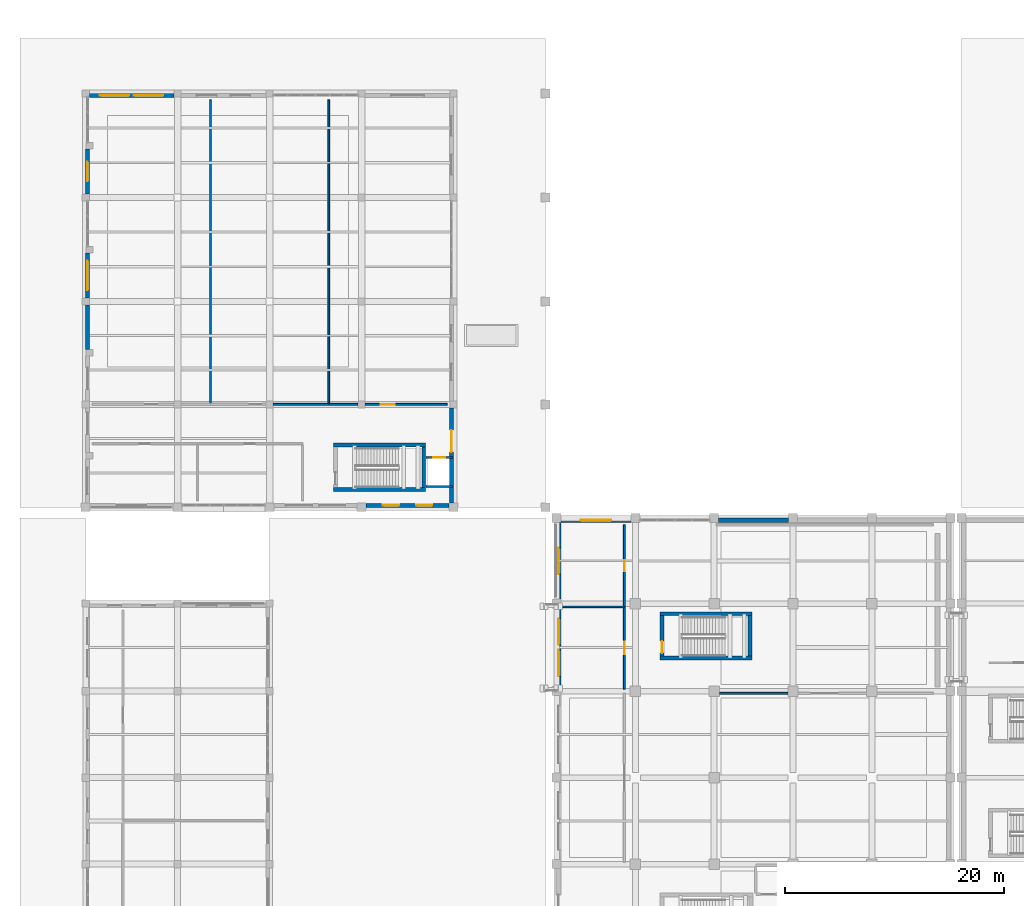
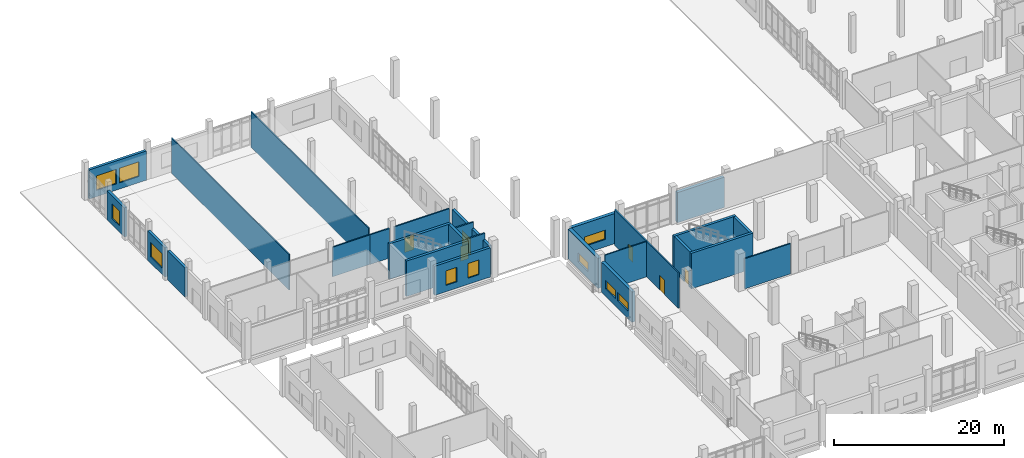
# One storey, part 57 of 79: 28 walls, 10 windows, 6 doors, 16 openings.
"""IFC4 building model written with IfcOpenShell, lengths in metres."""

from ifc_helpers import new_model, si_unit, direction, frame, frame_2d, origin, place, context, subcontext, project, spatial, rectangle, extrude, material, layer, layer_set, type_object, element, fill, save


model = new_model("IFC4")

# Units and contexts
model_context = context("Model", 3, precision=1e-05, world=origin(), true_north=direction((0.0, 1.0)))
body_context = subcontext(model_context, "Body", "Model", "MODEL_VIEW")
ifc_project = project(units=[si_unit("LENGTHUNIT", "METRE"), si_unit("AREAUNIT", "SQUARE_METRE"), si_unit("VOLUMEUNIT", "CUBIC_METRE"), si_unit("PLANEANGLEUNIT", "RADIAN"), si_unit("MASSUNIT", "GRAM", prefix="KILO")], contexts=[model_context])

# Site, building, storey
site_placement = place(None, origin())
site = spatial("IfcSite", under=ifc_project, at=site_placement, CompositionType="ELEMENT")
building_placement = place(site_placement, origin())
building = spatial("IfcBuilding", under=site, at=building_placement, Name="Kelarvand Opera House", CompositionType="ELEMENT")
storey_placement = place(building_placement, origin())
storey = spatial("IfcBuildingStorey", under=building, at=storey_placement, Name="L00", CompositionType="ELEMENT", Elevation=0.0)

# Walls
ifc_material_1 = material(Name="Acoustic double-stud gypsum partition")
ifc_layer_1 = layer(ifc_material_1, 0.14990234375, Name="Acoustic double-stud gypsum partition")
ifc_layer_set_1 = layer_set([ifc_layer_1], Name="Acoustic double-stud gypsum partition")
wall_type_1 = type_object("IfcWallType", Name="Acoustic Room Partition Wall 150", PredefinedType="PARTITIONING", material=ifc_layer_set_1)
wall_1_placement = place(storey_placement, frame((52.5, 78.10009765625, 0.0), z_axis=(0.0, 0.0, 1.0), x_axis=(1.0, 0.0, 0.0)))
element("IfcWall", 1, at=wall_1_placement, inside=storey, type_object=wall_type_1, Name="V2 L00 Partition Wall IW-150 (273)", PredefinedType="PARTITIONING", context=body_context, shape_type="SweptSolid", body=[
    extrude(rectangle(XDim=5.699951171875, YDim=0.14990234375, at=frame_2d((2.85009765625, 0.0))), origin(), (0.0, 0.0, 1.0), 5.092041015625),
])
for number, where, z_axis, x_axis, name in (
    (2, (20.39990234375, 96.739990234375, 0.0), (0.0, 0.0, 1.0), (0.0, 1.0, 0.0), "V3 L00 Partition Wall IW-150 (277)"),
    (3, (31.199951171875, 96.739990234375, 0.0), (0.0, 0.0, 1.0), (0.0, 1.0, 0.0), "V3 L00 Partition Wall IW-150 (280)"),
):
    element("IfcWall", number, at=place(storey_placement, frame(where, z_axis=z_axis, x_axis=x_axis)), inside=storey, type_object=wall_type_1, Name=name, PredefinedType="PARTITIONING", context=body_context, shape_type="SweptSolid", body=[
        extrude(rectangle(XDim=27.659912109375, YDim=0.14990234375, at=frame_2d((13.830078125, 0.0))), origin(), (0.0, 0.0, 1.0), 5.092041015625),
    ])

# Wall, opening, door
ifc_material_2 = material(Name="Concrete C35/45", Category="concrete")
ifc_layer_2 = layer(ifc_material_2, 0.360107421875, Name="Concrete C35/45", Category="concrete")
ifc_layer_set_2 = layer_set([ifc_layer_2], Name="Concrete C35/45")
wall_type_2 = type_object("IfcWallType", Name="Azarshahr Travertine Cavity Wall 360", PredefinedType="SOLIDWALL", material=ifc_layer_set_2)
wall_2_placement = place(storey_placement, frame((42.419921875, 96.27490234375, 0.0), z_axis=(0.0, 0.0, 1.0), x_axis=(0.0, -1.0, 0.0)))
wall_2 = element("IfcWall", 4, at=wall_2_placement, inside=storey, type_object=wall_type_2, Name="V3 L00 Exterior Wall EW-360 (393)", PredefinedType="SOLIDWALL", context=body_context, shape_type="SweptSolid", body=[
    extrude(rectangle(XDim=8.664794921875, YDim=0.360107421875, at=frame_2d((4.33251953125, 0.0))), origin(), (0.0, 0.0, 1.0), 4.19189453125),
])
opening_1_placement = place(wall_2_placement, frame((2.032958984375, 0.0, 0.0)))
opening_1 = element("IfcOpeningElement", 5, at=opening_1_placement, cuts=wall_2, Name="Opening EX-200", PredefinedType="OPENING", context=body_context, shape_type="SweptSolid", body=[
    extrude(rectangle(XDim=2.0, YDim=2.39990234375, at=frame_2d((1.0, 1.199951171875))), frame((0.0, 0.18994140625, 0.0), z_axis=(0.0, -1.0, 0.0), x_axis=(1.0, 0.0, 0.0)), (0.0, 0.0, 1.0), 0.380126953125),
])
ifc_material_3 = material(Name="Thermally broken bronze-anodised aluminium and safety glass", Category="aluminium")
door_type_1 = type_object("IfcDoorType", Name="Protected Stair Double Final Exit Door 2000x2400", OperationType="NOTDEFINED", PredefinedType="DOOR", material=ifc_material_3)
door_1_placement = place(opening_1_placement, origin())
door_1 = element("IfcDoor", 6, at=door_1_placement, inside=storey, type_object=door_type_1, Name="V3 Ground Final Exit Door E11", OperationType="DOUBLE_DOOR_SINGLE_SWING", OverallHeight=2.39990234375, OverallWidth=2.0, PredefinedType="DOOR", context=body_context, shape_type="SweptSolid", body=[
    extrude(rectangle(XDim=2.0, YDim=2.39990234375, at=frame_2d((1.0, 1.199951171875))), frame((0.0, 0.02490234375, 0.0), z_axis=(0.0, -1.0, 0.0), x_axis=(1.0, 0.0, 0.0)), (0.0, 0.0, 1.0), 0.050048828125),
])
fill(opening_1, door_1)

# Wall, openings, windows
wall_3_placement = place(storey_placement, frame((9.324951171875, 124.820068359375, 0.0), z_axis=(0.0, 0.0, 1.0), x_axis=(1.0, 0.0, 0.0)))
wall_3 = element("IfcWall", 7, at=wall_3_placement, inside=storey, type_object=wall_type_2, Name="V3 L00 Exterior Wall EW-360 (394)", PredefinedType="SOLIDWALL", context=body_context, shape_type="SweptSolid", body=[
    extrude(rectangle(XDim=7.75, YDim=0.360107421875, at=frame_2d((3.875, 0.0))), origin(), (0.0, 0.0, 1.0), 4.19189453125),
])
opening_2_placement = place(wall_3_placement, frame((0.97509765625, 0.0, 0.89990234375)))
opening_2 = element("IfcOpeningElement", 8, at=opening_2_placement, cuts=wall_3, Name="Opening WN-08", PredefinedType="OPENING", context=body_context, shape_type="SweptSolid", body=[
    extrude(rectangle(XDim=2.699951171875, YDim=2.10009765625, at=frame_2d((1.35009765625, 1.050048828125))), frame((0.0, 0.18994140625, 0.0), z_axis=(0.0, -1.0, 0.0), x_axis=(1.0, 0.0, 0.0)), (0.0, 0.0, 1.0), 0.380126953125),
])
opening_3_placement = place(wall_3_placement, frame((4.074951171875, 0.0, 0.89990234375)))
opening_3 = element("IfcOpeningElement", 9, at=opening_3_placement, cuts=wall_3, Name="Opening WN-08", PredefinedType="OPENING", context=body_context, shape_type="SweptSolid", body=[
    extrude(rectangle(XDim=2.699951171875, YDim=2.10009765625, at=frame_2d((1.35009765625, 1.050048828125))), frame((0.0, 0.18994140625, 0.0), z_axis=(0.0, -1.0, 0.0), x_axis=(1.0, 0.0, 0.0)), (0.0, 0.0, 1.0), 0.380126953125),
])
ifc_material_4 = material(Name="Thermally broken aluminium and low-E double glazing", Category="aluminium")
window_type_1 = type_object("IfcWindowType", Name="Recessed Aluminium Thermal Window 2700x2100 WN-08", PartitioningType="SINGLE_PANEL", PredefinedType="WINDOW", material=ifc_material_4)
window_1_placement = place(opening_2_placement, origin())
window_1 = element("IfcWindow", 10, at=window_1_placement, inside=storey, type_object=window_type_1, Name="V3 L00 Facade Window WN-08 (143)", OverallHeight=2.10009765625, OverallWidth=2.699951171875, PartitioningType="SINGLE_PANEL", PredefinedType="WINDOW", context=body_context, shape_type="SweptSolid", body=[
    extrude(rectangle(XDim=2.699951171875, YDim=2.10009765625, at=frame_2d((1.35009765625, 1.050048828125))), frame((0.0, 0.030029296875, 0.0), z_axis=(0.0, -1.0, 0.0), x_axis=(1.0, 0.0, 0.0)), (0.0, 0.0, 1.0), 0.06005859375),
])
fill(opening_2, window_1)
window_2_placement = place(opening_3_placement, origin())
window_2 = element("IfcWindow", 11, at=window_2_placement, inside=storey, type_object=window_type_1, Name="V3 L00 Facade Window WN-08 (144)", OverallHeight=2.10009765625, OverallWidth=2.699951171875, PartitioningType="SINGLE_PANEL", PredefinedType="WINDOW", context=body_context, shape_type="SweptSolid", body=[
    extrude(rectangle(XDim=2.699951171875, YDim=2.10009765625, at=frame_2d((1.35009765625, 1.050048828125))), frame((0.0, 0.030029296875, 0.0), z_axis=(0.0, -1.0, 0.0), x_axis=(1.0, 0.0, 0.0)), (0.0, 0.0, 1.0), 0.06005859375),
])
fill(opening_3, window_2)

# Wall
wall_4_placement = place(storey_placement, frame((9.179931640625, 101.60009765625, 0.0), z_axis=(0.0, 0.0, 1.0), x_axis=(0.0, 1.0, 0.0)))
element("IfcWall", 12, at=wall_4_placement, inside=storey, type_object=wall_type_2, Name="V3 L00 Exterior Wall EW-360 (400)", PredefinedType="SOLIDWALL", context=body_context, shape_type="SweptSolid", body=[
    extrude(rectangle(XDim=4.074951171875, YDim=0.360107421875, at=frame_2d((2.03759765625, 0.0))), origin(), (0.0, 0.0, 1.0), 4.19189453125),
])

# Wall, opening, window
wall_5_placement = place(storey_placement, frame((9.179931640625, 106.324951171875, 0.0), z_axis=(0.0, 0.0, 1.0), x_axis=(0.0, 1.0, 0.0)))
wall_5 = element("IfcWall", 13, at=wall_5_placement, inside=storey, type_object=wall_type_2, Name="V3 L00 Exterior Wall EW-360 (401)", PredefinedType="SOLIDWALL", context=body_context, shape_type="SweptSolid", body=[
    extrude(rectangle(XDim=4.074951171875, YDim=0.360107421875, at=frame_2d((2.03759765625, 0.0))), origin(), (0.0, 0.0, 1.0), 4.19189453125),
])
opening_4_placement = place(wall_5_placement, frame((0.68798828125, 0.0, 0.89990234375)))
opening_4 = element("IfcOpeningElement", 14, at=opening_4_placement, cuts=wall_5, Name="Opening WN-08", PredefinedType="OPENING", context=body_context, shape_type="SweptSolid", body=[
    extrude(rectangle(XDim=2.699951171875, YDim=2.10009765625, at=frame_2d((1.35009765625, 1.050048828125))), frame((0.0, 0.18994140625, 0.0), z_axis=(0.0, -1.0, 0.0), x_axis=(1.0, 0.0, 0.0)), (0.0, 0.0, 1.0), 0.380126953125),
])
window_3_placement = place(opening_4_placement, origin())
window_3 = element("IfcWindow", 15, at=window_3_placement, inside=storey, type_object=window_type_1, Name="V3 L00 Facade Window WN-08 (149)", OverallHeight=2.10009765625, OverallWidth=2.699951171875, PartitioningType="SINGLE_PANEL", PredefinedType="WINDOW", context=body_context, shape_type="SweptSolid", body=[
    extrude(rectangle(XDim=2.699951171875, YDim=2.10009765625, at=frame_2d((1.35009765625, 1.050048828125))), frame((0.0, 0.030029296875, 0.0), z_axis=(0.0, -1.0, 0.0), x_axis=(1.0, 0.0, 0.0)), (0.0, 0.0, 1.0), 0.06005859375),
])
fill(opening_4, window_3)

wall_6_placement = place(storey_placement, frame((9.179931640625, 115.824951171875, 0.0), z_axis=(0.0, 0.0, 1.0), x_axis=(0.0, 1.0, 0.0)))
wall_6 = element("IfcWall", 16, at=wall_6_placement, inside=storey, type_object=wall_type_2, Name="V3 L00 Exterior Wall EW-360 (402)", PredefinedType="SOLIDWALL", context=body_context, shape_type="SweptSolid", body=[
    extrude(rectangle(XDim=4.074951171875, YDim=0.360107421875, at=frame_2d((2.03759765625, 0.0))), origin(), (0.0, 0.0, 1.0), 4.19189453125),
])
opening_5_placement = place(wall_6_placement, frame((1.137939453125, 0.0, 0.89990234375)))
opening_5 = element("IfcOpeningElement", 17, at=opening_5_placement, cuts=wall_6, Name="Opening WN-05", PredefinedType="OPENING", context=body_context, shape_type="SweptSolid", body=[
    extrude(rectangle(XDim=1.800048828125, YDim=2.10009765625, at=frame_2d((0.89990234375, 1.050048828125))), frame((0.0, 0.18994140625, 0.0), z_axis=(0.0, -1.0, 0.0), x_axis=(1.0, 0.0, 0.0)), (0.0, 0.0, 1.0), 0.380126953125),
])
window_type_2 = type_object("IfcWindowType", Name="Recessed Aluminium Thermal Window 1800x2100 WN-05", PartitioningType="SINGLE_PANEL", PredefinedType="WINDOW", material=ifc_material_4)
window_4_placement = place(opening_5_placement, origin())
window_4 = element("IfcWindow", 18, at=window_4_placement, inside=storey, type_object=window_type_2, Name="V3 L00 Facade Window WN-05 (150)", OverallHeight=2.10009765625, OverallWidth=1.800048828125, PartitioningType="SINGLE_PANEL", PredefinedType="WINDOW", context=body_context, shape_type="SweptSolid", body=[
    extrude(rectangle(XDim=1.800048828125, YDim=2.10009765625, at=frame_2d((0.89990234375, 1.050048828125))), frame((0.0, 0.030029296875, 0.0), z_axis=(0.0, -1.0, 0.0), x_axis=(1.0, 0.0, 0.0)), (0.0, 0.0, 1.0), 0.06005859375),
])
fill(opening_5, window_4)

# Wall, openings, windows
wall_7_placement = place(storey_placement, frame((42.18994140625, 87.3798828125, 0.0), z_axis=(0.0, 0.0, 1.0), x_axis=(-1.0, 0.0, 0.0)))
wall_7 = element("IfcWall", 19, at=wall_7_placement, inside=storey, type_object=wall_type_2, Name="V3 L00 Exterior Wall EW-360 (403)", PredefinedType="SOLIDWALL", context=body_context, shape_type="SweptSolid", body=[
    extrude(rectangle(XDim=7.579833984375, YDim=0.360107421875, at=frame_2d((3.7900390625, 0.0))), origin(), (0.0, 0.0, 1.0), 4.19189453125),
])
opening_6_placement = place(wall_7_placement, frame((1.52392578125, 0.0, 0.89990234375)))
opening_6 = element("IfcOpeningElement", 20, at=opening_6_placement, cuts=wall_7, Name="Opening WN-04", PredefinedType="OPENING", context=body_context, shape_type="SweptSolid", body=[
    extrude(rectangle(XDim=1.5, YDim=2.10009765625, at=frame_2d((0.75, 1.050048828125))), frame((0.0, 0.18994140625, 0.0), z_axis=(0.0, -1.0, 0.0), x_axis=(1.0, 0.0, 0.0)), (0.0, 0.0, 1.0), 0.380126953125),
])
opening_7_placement = place(wall_7_placement, frame((4.555908203125, 0.0, 0.89990234375)))
opening_7 = element("IfcOpeningElement", 21, at=opening_7_placement, cuts=wall_7, Name="Opening WN-04", PredefinedType="OPENING", context=body_context, shape_type="SweptSolid", body=[
    extrude(rectangle(XDim=1.5, YDim=2.10009765625, at=frame_2d((0.75, 1.050048828125))), frame((0.0, 0.18994140625, 0.0), z_axis=(0.0, -1.0, 0.0), x_axis=(1.0, 0.0, 0.0)), (0.0, 0.0, 1.0), 0.380126953125),
])
window_type_3 = type_object("IfcWindowType", Name="Recessed Aluminium Thermal Window 1500x2100 WN-04", PartitioningType="SINGLE_PANEL", PredefinedType="WINDOW", material=ifc_material_4)
window_5_placement = place(opening_6_placement, origin())
window_5 = element("IfcWindow", 22, at=window_5_placement, inside=storey, type_object=window_type_3, Name="V3 L00 Facade Window WN-04 (151)", OverallHeight=2.10009765625, OverallWidth=1.5, PartitioningType="SINGLE_PANEL", PredefinedType="WINDOW", context=body_context, shape_type="SweptSolid", body=[
    extrude(rectangle(XDim=1.5, YDim=2.10009765625, at=frame_2d((0.75, 1.050048828125))), frame((0.0, 0.030029296875, 0.0), z_axis=(0.0, -1.0, 0.0), x_axis=(1.0, 0.0, 0.0)), (0.0, 0.0, 1.0), 0.06005859375),
])
fill(opening_6, window_5)
window_6_placement = place(opening_7_placement, origin())
window_6 = element("IfcWindow", 23, at=window_6_placement, inside=storey, type_object=window_type_3, Name="V3 L00 Facade Window WN-04 (152)", OverallHeight=2.10009765625, OverallWidth=1.5, PartitioningType="SINGLE_PANEL", PredefinedType="WINDOW", context=body_context, shape_type="SweptSolid", body=[
    extrude(rectangle(XDim=1.5, YDim=2.10009765625, at=frame_2d((0.75, 1.050048828125))), frame((0.0, 0.030029296875, 0.0), z_axis=(0.0, -1.0, 0.0), x_axis=(1.0, 0.0, 0.0)), (0.0, 0.0, 1.0), 0.06005859375),
])
fill(opening_7, window_6)

# Walls
ifc_material_5 = material(Name="Concrete C40/50", Category="concrete")
ifc_layer_3 = layer(ifc_material_5, 0.35009765625, Name="Concrete C40/50", Category="concrete")
ifc_layer_set_3 = layer_set([ifc_layer_3], Name="Concrete C40/50")
wall_type_3 = type_object("IfcWallType", Name="Core Stair and Lift Shear Wall 350", PredefinedType="SHEAR", material=ifc_layer_set_3)
for number, where, z_axis, x_axis, name in (
    (24, (61.449951171875, 73.425048828125, 0.0), (0.0, 0.0, 1.0), (1.0, 0.0, 0.0), "C3 Stair Core Shear Wall S L00"),
    (25, (69.85009765625, 77.47509765625, 0.0), (0.0, 0.0, 1.0), (-1.0, 0.0, 0.0), "C3 Stair Core Shear Wall N L00"),
):
    element("IfcWall", number, at=place(storey_placement, frame(where, z_axis=z_axis, x_axis=x_axis)), inside=storey, type_object=wall_type_3, Name=name, PredefinedType="SHEAR", context=body_context, shape_type="SweptSolid", body=[
        extrude(rectangle(XDim=8.400146484375, YDim=0.35009765625, at=frame_2d((4.2001953125, 0.0))), origin(), (0.0, 0.0, 1.0), 5.10009765625),
    ])

# Wall, opening, door
wall_8_placement = place(storey_placement, frame((61.625, 73.60009765625, 0.0), z_axis=(0.0, 0.0, 1.0), x_axis=(0.0, 1.0, 0.0)))
wall_8 = element("IfcWall", 26, at=wall_8_placement, inside=storey, type_object=wall_type_3, Name="C3 Stair Core Shear Wall W L00", PredefinedType="SHEAR", context=body_context, shape_type="SweptSolid", body=[
    extrude(rectangle(XDim=3.699951171875, YDim=0.35009765625, at=frame_2d((1.85009765625, 0.0))), origin(), (0.0, 0.0, 1.0), 5.10009765625),
])
opening_8_placement = place(wall_8_placement, frame((0.280029296875, 0.0, 0.0)))
opening_8 = element("IfcOpeningElement", 27, at=opening_8_placement, cuts=wall_8, Name="Opening FD-01", PredefinedType="OPENING", context=body_context, shape_type="SweptSolid", body=[
    extrude(rectangle(XDim=1.10009765625, YDim=2.080078125, at=frame_2d((0.550048828125, 1.0400390625))), frame((0.0, 0.18505859375, 0.0), z_axis=(0.0, -1.0, 0.0), x_axis=(1.0, 0.0, 0.0)), (0.0, 0.0, 1.0), 0.3701171875),
])
ifc_material_6 = material(Name="Fire-rated brushed stainless steel", Category="steel")
door_type_2 = type_object("IfcDoorType", Name="Steel Fire-Rated Stair and FF Lobby Door 1100x2080", OperationType="NOTDEFINED", PredefinedType="DOOR", material=ifc_material_6)
door_2_placement = place(opening_8_placement, origin())
door_2 = element("IfcDoor", 28, at=door_2_placement, inside=storey, type_object=door_type_2, Name="C3 Stair ST-03 Fire Door L00", OperationType="SINGLE_SWING_RIGHT", OverallHeight=2.080078125, OverallWidth=1.10009765625, PredefinedType="DOOR", context=body_context, shape_type="SweptSolid", body=[
    extrude(rectangle(XDim=1.10009765625, YDim=2.080078125, at=frame_2d((0.550048828125, 1.0400390625))), frame((0.0, 0.02490234375, 0.0), z_axis=(0.0, -1.0, 0.0), x_axis=(1.0, 0.0, 0.0)), (0.0, 0.0, 1.0), 0.050048828125),
])
fill(opening_8, door_2)

# Walls
wall_9_placement = place(storey_placement, frame((69.675048828125, 77.300048828125, 0.0), z_axis=(0.0, 0.0, 1.0), x_axis=(0.0, -1.0, 0.0)))
element("IfcWall", 29, at=wall_9_placement, inside=storey, type_object=wall_type_3, Name="C3 Stair Core Shear Wall E L00", PredefinedType="SHEAR", context=body_context, shape_type="SweptSolid", body=[
    extrude(rectangle(XDim=3.699951171875, YDim=0.35009765625, at=frame_2d((1.85009765625, 0.0))), origin(), (0.0, 0.0, 1.0), 5.10009765625),
])
for number, where, z_axis, x_axis, name in (
    (30, (31.64990234375, 88.824951171875, 0.0), (0.0, 0.0, 1.0), (1.0, 0.0, 0.0), "C5 Stair Core Shear Wall S L00"),
    (31, (40.050048828125, 92.875, 0.0), (0.0, 0.0, 1.0), (-1.0, 0.0, 0.0), "C5 Stair Core Shear Wall N L00"),
):
    element("IfcWall", number, at=place(storey_placement, frame(where, z_axis=z_axis, x_axis=x_axis)), inside=storey, type_object=wall_type_3, Name=name, PredefinedType="SHEAR", context=body_context, shape_type="SweptSolid", body=[
        extrude(rectangle(XDim=8.400146484375, YDim=0.35009765625, at=frame_2d((4.2001953125, 0.0))), origin(), (0.0, 0.0, 1.0), 5.10009765625),
    ])
wall_10_placement = place(storey_placement, frame((39.875, 92.699951171875, 0.0), z_axis=(0.0, 0.0, 1.0), x_axis=(0.0, -1.0, 0.0)))
element("IfcWall", 32, at=wall_10_placement, inside=storey, type_object=wall_type_3, Name="C5 Stair Core Shear Wall E L00", PredefinedType="SHEAR", context=body_context, shape_type="SweptSolid", body=[
    extrude(rectangle(XDim=3.699951171875, YDim=0.35009765625, at=frame_2d((1.85009765625, 0.0))), origin(), (0.0, 0.0, 1.0), 5.10009765625),
])
ifc_layer_4 = layer(ifc_material_2, 0.179931640625, Name="Concrete C35/45", Category="concrete")
ifc_layer_set_4 = layer_set([ifc_layer_4], Name="Concrete C35/45")
wall_type_4 = type_object("IfcWallType", Name="Corridor Fire-Rated Partition Wall 180 EI90", PredefinedType="PARTITIONING", material=ifc_layer_set_4)
wall_11_placement = place(storey_placement, frame((66.875, 70.199951171875, 0.0), z_axis=(0.0, 0.0, 1.0), x_axis=(1.0, 0.0, 0.0)))
element("IfcWall", 33, at=wall_11_placement, inside=storey, type_object=wall_type_4, Name="V2 L00 Partition Wall IW-90 (264)", PredefinedType="PARTITIONING", context=body_context, shape_type="SweptSolid", body=[
    extrude(rectangle(XDim=6.25, YDim=0.179931640625, at=frame_2d((3.125, 0.0))), origin(), (0.0, 0.0, 1.0), 4.342041015625),
])

# Wall, opening, door
wall_12_placement = place(storey_placement, frame((58.199951171875, 70.60009765625, 0.0), z_axis=(0.0, 0.0, 1.0), x_axis=(0.0, 1.0, 0.0)))
wall_12 = element("IfcWall", 34, at=wall_12_placement, inside=storey, type_object=wall_type_4, Name="V2 L00 Partition Wall IW-90 (272)", PredefinedType="PARTITIONING", context=body_context, shape_type="SweptSolid", body=[
    extrude(rectangle(XDim=7.5, YDim=0.179931640625, at=frame_2d((3.75, 0.0))), origin(), (0.0, 0.0, 1.0), 5.092041015625),
])
opening_9_placement = place(wall_12_placement, frame((3.169921875, 0.0, 0.0)))
opening_9 = element("IfcOpeningElement", 35, at=opening_9_placement, cuts=wall_12, Name="Opening D-20", PredefinedType="OPENING", context=body_context, shape_type="SweptSolid", body=[
    extrude(rectangle(XDim=1.159912109375, YDim=2.10009765625, at=frame_2d((0.580078125, 1.050048828125))), frame((0.0, 0.10009765625, 0.0), z_axis=(0.0, -1.0, 0.0), x_axis=(1.0, 0.0, 0.0)), (0.0, 0.0, 1.0), 0.199951171875),
])
ifc_material_7 = material(Name="Acoustic walnut-veneered hardwood", Category="wood")
door_type_3 = type_object("IfcDoorType", Name="Library Reading Room Door 1160x2100", OperationType="NOTDEFINED", PredefinedType="DOOR", material=ifc_material_7)
door_3_placement = place(opening_9_placement, origin())
door_3 = element("IfcDoor", 36, at=door_3_placement, inside=storey, type_object=door_type_3, Name="V2 L00 Door D-20 (117)", OperationType="SINGLE_SWING_LEFT", OverallHeight=2.10009765625, OverallWidth=1.159912109375, PredefinedType="DOOR", context=body_context, shape_type="SweptSolid", body=[
    extrude(rectangle(XDim=1.159912109375, YDim=2.10009765625, at=frame_2d((0.580078125, 1.050048828125))), frame((0.0, 0.02490234375, 0.0), z_axis=(0.0, -1.0, 0.0), x_axis=(1.0, 0.0, 0.0)), (0.0, 0.0, 1.0), 0.050048828125),
])
fill(opening_9, door_3)

wall_13_placement = place(storey_placement, frame((58.199951171875, 78.10009765625, 0.0), z_axis=(0.0, 0.0, 1.0), x_axis=(0.0, 1.0, 0.0)))
wall_13 = element("IfcWall", 37, at=wall_13_placement, inside=storey, type_object=wall_type_4, Name="V2 L00 Partition Wall IW-90 (274)", PredefinedType="PARTITIONING", context=body_context, shape_type="SweptSolid", body=[
    extrude(rectangle(XDim=7.5, YDim=0.179931640625, at=frame_2d((3.75, 0.0))), origin(), (0.0, 0.0, 1.0), 5.092041015625),
])
opening_10_placement = place(wall_13_placement, frame((3.260009765625, 0.0, 0.0)))
opening_10 = element("IfcOpeningElement", 38, at=opening_10_placement, cuts=wall_13, Name="Opening D-09", PredefinedType="OPENING", context=body_context, shape_type="SweptSolid", body=[
    extrude(rectangle(XDim=0.97998046875, YDim=2.080078125, at=frame_2d((0.489990234375, 1.0400390625))), frame((0.0, 0.10009765625, 0.0), z_axis=(0.0, -1.0, 0.0), x_axis=(1.0, 0.0, 0.0)), (0.0, 0.0, 1.0), 0.199951171875),
])
door_type_4 = type_object("IfcDoorType", Name="Soloist Acoustic Timber Door 980x2080", OperationType="NOTDEFINED", PredefinedType="DOOR", material=ifc_material_7)
door_4_placement = place(opening_10_placement, origin())
door_4 = element("IfcDoor", 39, at=door_4_placement, inside=storey, type_object=door_type_4, Name="V2 L00 Door D-09 (118)", OperationType="SINGLE_SWING_RIGHT", OverallHeight=2.080078125, OverallWidth=0.97998046875, PredefinedType="DOOR", context=body_context, shape_type="SweptSolid", body=[
    extrude(rectangle(XDim=0.97998046875, YDim=2.080078125, at=frame_2d((0.489990234375, 1.0400390625))), frame((0.0, 0.02490234375, 0.0), z_axis=(0.0, -1.0, 0.0), x_axis=(1.0, 0.0, 0.0)), (0.0, 0.0, 1.0), 0.050048828125),
])
fill(opening_10, door_4)

# Walls
wall_14_placement = place(storey_placement, frame((26.125, 96.60009765625, 0.0), z_axis=(0.0, 0.0, 1.0), x_axis=(1.0, 0.0, 0.0)))
element("IfcWall", 40, at=wall_14_placement, inside=storey, type_object=wall_type_4, Name="V3 L00 Partition Wall IW-90 (279)", PredefinedType="PARTITIONING", context=body_context, shape_type="SweptSolid", body=[
    extrude(rectangle(XDim=5.074951171875, YDim=0.179931640625, at=frame_2d((2.53759765625, 0.0))), origin(), (0.0, 0.0, 1.0), 4.241943359375),
])
wall_15_placement = place(storey_placement, frame((31.199951171875, 96.60009765625, 0.0), z_axis=(0.0, 0.0, 1.0), x_axis=(1.0, 0.0, 0.0)))
element("IfcWall", 41, at=wall_15_placement, inside=storey, type_object=wall_type_4, Name="V3 L00 Partition Wall IW-90 (281)", PredefinedType="PARTITIONING", context=body_context, shape_type="SweptSolid", body=[
    extrude(rectangle(XDim=2.675048828125, YDim=0.179931640625, at=frame_2d((1.33740234375, 0.0))), origin(), (0.0, 0.0, 1.0), 4.241943359375),
])

# Wall, opening, door
wall_16_placement = place(storey_placement, frame((34.52490234375, 96.60009765625, 0.0), z_axis=(0.0, 0.0, 1.0), x_axis=(1.0, 0.0, 0.0)))
wall_16 = element("IfcWall", 42, at=wall_16_placement, inside=storey, type_object=wall_type_4, Name="V3 L00 Partition Wall IW-90 (282)", PredefinedType="PARTITIONING", context=body_context, shape_type="SweptSolid", body=[
    extrude(rectangle(XDim=7.47509765625, YDim=0.179931640625, at=frame_2d((3.737548828125, 0.0))), origin(), (0.0, 0.0, 1.0), 4.241943359375),
])
opening_11_placement = place(wall_16_placement, frame((1.43505859375, 0.0, 0.0)))
opening_11 = element("IfcOpeningElement", 43, at=opening_11_placement, cuts=wall_16, Name="Opening D-11", PredefinedType="OPENING", context=body_context, shape_type="SweptSolid", body=[
    extrude(rectangle(XDim=1.280029296875, YDim=2.139892578125, at=frame_2d((0.64013671875, 1.06982421875))), frame((0.0, 0.10009765625, 0.0), z_axis=(0.0, -1.0, 0.0), x_axis=(1.0, 0.0, 0.0)), (0.0, 0.0, 1.0), 0.199951171875),
])
door_type_5 = type_object("IfcDoorType", Name="Instrument Store Leaf-and-Half Door 1280x2140", OperationType="NOTDEFINED", PredefinedType="DOOR", material=ifc_material_7)
door_5_placement = place(opening_11_placement, origin())
door_5 = element("IfcDoor", 44, at=door_5_placement, inside=storey, type_object=door_type_5, Name="V3 L00 Door D-11 (121)", OperationType="SINGLE_SWING_LEFT", OverallHeight=2.139892578125, OverallWidth=1.280029296875, PredefinedType="DOOR", context=body_context, shape_type="SweptSolid", body=[
    extrude(rectangle(XDim=1.280029296875, YDim=2.139892578125, at=frame_2d((0.64013671875, 1.06982421875))), frame((0.0, 0.02490234375, 0.0), z_axis=(0.0, -1.0, 0.0), x_axis=(1.0, 0.0, 0.0)), (0.0, 0.0, 1.0), 0.050048828125),
])
fill(opening_11, door_5)

# Wall
ifc_layer_5 = layer(ifc_material_2, 0.199951171875, Name="Concrete C35/45", Category="concrete")
ifc_layer_set_5 = layer_set([ifc_layer_5], Name="Concrete C35/45")
wall_type_5 = type_object("IfcWallType", Name="Lift and Riser Shaft Enclosure Wall 200 EI120", PredefinedType="PARTITIONING", material=ifc_layer_set_5)
wall_17_placement = place(storey_placement, frame((40.10009765625, 89.10009765625, 0.0), z_axis=(0.0, 0.0, 1.0), x_axis=(1.0, 0.0, 0.0)))
element("IfcWall", 45, at=wall_17_placement, inside=storey, type_object=wall_type_5, Name="V3 L00 Partition Wall SW-200 (230)", PredefinedType="PARTITIONING", context=body_context, shape_type="SweptSolid", body=[
    extrude(rectangle(XDim=2.39990234375, YDim=0.199951171875, at=frame_2d((1.199951171875, 0.0))), origin(), (0.0, 0.0, 1.0), 5.092041015625),
])

# Wall, opening, door
wall_18_placement = place(storey_placement, frame((42.5, 91.75, 0.0), z_axis=(0.0, 0.0, 1.0), x_axis=(-1.0, 0.0, 0.0)))
wall_18 = element("IfcWall", 46, at=wall_18_placement, inside=storey, type_object=wall_type_5, Name="V3 L00 Partition Wall SW-200 (231)", PredefinedType="PARTITIONING", context=body_context, shape_type="SweptSolid", body=[
    extrude(rectangle(XDim=2.39990234375, YDim=0.199951171875, at=frame_2d((1.199951171875, 0.0))), origin(), (0.0, 0.0, 1.0), 5.092041015625),
])
opening_12_placement = place(wall_18_placement, frame((0.64990234375, 0.0, 0.0)))
opening_12 = element("IfcOpeningElement", 47, at=opening_12_placement, cuts=wall_18, Name="Opening LD-01", PredefinedType="OPENING", context=body_context, shape_type="SweptSolid", body=[
    extrude(rectangle(XDim=1.10009765625, YDim=2.14990234375, at=frame_2d((0.550048828125, 1.074951171875))), frame((0.0, 0.10986328125, 0.0), z_axis=(0.0, -1.0, 0.0), x_axis=(1.0, 0.0, 0.0)), (0.0, 0.0, 1.0), 0.219970703125),
])
door_type_6 = type_object("IfcDoorType", Name="Passenger Lift Sliding Landing Door 1100x2150", OperationType="SLIDING_TO_LEFT", PredefinedType="DOOR", material=ifc_material_6)
door_6_placement = place(opening_12_placement, origin())
door_6 = element("IfcDoor", 48, at=door_6_placement, inside=storey, type_object=door_type_6, Name="V3 L00 Door LD-01 (98)", OperationType="SLIDING_TO_LEFT", OverallHeight=2.14990234375, OverallWidth=1.10009765625, PredefinedType="DOOR", context=body_context, shape_type="SweptSolid", body=[
    extrude(rectangle(XDim=1.10009765625, YDim=2.14990234375, at=frame_2d((0.550048828125, 1.074951171875))), frame((0.0, 0.02490234375, 0.0), z_axis=(0.0, -1.0, 0.0), x_axis=(1.0, 0.0, 0.0)), (0.0, 0.0, 1.0), 0.050048828125),
])
fill(opening_12, door_6)

# Wall, opening, window
ifc_layer_6 = layer(ifc_material_2, 0.43994140625, Name="Concrete C35/45", Category="concrete")
ifc_layer_set_6 = layer_set([ifc_layer_6], Name="Concrete C35/45")
wall_type_6 = type_object("IfcWallType", Name="Stage House Acoustic Cavity Wall 440", PredefinedType="SOLIDWALL", material=ifc_layer_set_6)
wall_19_placement = place(storey_placement, frame((52.409912109375, 86.02001953125, 0.0), z_axis=(0.0, 0.0, 1.0), x_axis=(1.0, 0.0, 0.0)))
wall_19 = element("IfcWall", 49, at=wall_19_placement, inside=storey, type_object=wall_type_6, Name="V2 L00 Exterior Wall EW-440 (226)", PredefinedType="SOLIDWALL", context=body_context, shape_type="SweptSolid", body=[
    extrude(rectangle(XDim=6.380126953125, YDim=0.43994140625, at=frame_2d((3.18994140625, 0.0))), origin(), (0.0, 0.0, 1.0), 4.342041015625),
])
opening_13_placement = place(wall_19_placement, frame((1.7900390625, 0.0, 1.050048828125)))
opening_13 = element("IfcOpeningElement", 50, at=opening_13_placement, cuts=wall_19, Name="Opening WN-21", PredefinedType="OPENING", context=body_context, shape_type="SweptSolid", body=[
    extrude(rectangle(XDim=2.800048828125, YDim=1.35009765625, at=frame_2d((1.39990234375, 0.675048828125))), frame((0.0, 0.22998046875, 0.0), z_axis=(0.0, -1.0, 0.0), x_axis=(1.0, 0.0, 0.0)), (0.0, 0.0, 1.0), 0.4599609375),
])
window_type_4 = type_object("IfcWindowType", Name="Recessed Aluminium Thermal Window 2800x1350 WN-21", PartitioningType="SINGLE_PANEL", PredefinedType="WINDOW", material=ifc_material_4)
window_7_placement = place(opening_13_placement, origin())
window_7 = element("IfcWindow", 51, at=window_7_placement, inside=storey, type_object=window_type_4, Name="V2 L00 Facade Window WN-21 (5)", OverallHeight=1.35009765625, OverallWidth=2.800048828125, PartitioningType="SINGLE_PANEL", PredefinedType="WINDOW", context=body_context, shape_type="SweptSolid", body=[
    extrude(rectangle(XDim=2.800048828125, YDim=1.35009765625, at=frame_2d((1.39990234375, 0.675048828125))), frame((0.0, 0.030029296875, 0.0), z_axis=(0.0, -1.0, 0.0), x_axis=(1.0, 0.0, 0.0)), (0.0, 0.0, 1.0), 0.06005859375),
])
fill(opening_13, window_7)

# Wall
wall_20_placement = place(storey_placement, frame((66.81005859375, 86.02001953125, 0.0), z_axis=(0.0, 0.0, 1.0), x_axis=(1.0, 0.0, 0.0)))
element("IfcWall", 52, at=wall_20_placement, inside=storey, type_object=wall_type_6, Name="V2 L00 Exterior Wall EW-440 (227)", PredefinedType="SOLIDWALL", context=body_context, shape_type="SweptSolid", body=[
    extrude(rectangle(XDim=6.3798828125, YDim=0.43994140625, at=frame_2d((3.18994140625, 0.0))), origin(), (0.0, 0.0, 1.0), 4.342041015625),
])

# Wall, openings, windows
wall_21_placement = place(storey_placement, frame((52.179931640625, 70.81005859375, 0.0), z_axis=(0.0, 0.0, 1.0), x_axis=(0.0, 1.0, 0.0)))
wall_21 = element("IfcWall", 53, at=wall_21_placement, inside=storey, type_object=wall_type_6, Name="V2 L00 Exterior Wall EW-440 (234)", PredefinedType="SOLIDWALL", context=body_context, shape_type="SweptSolid", body=[
    extrude(rectangle(XDim=7.179931640625, YDim=0.43994140625, at=frame_2d((3.58984375, 0.0))), origin(), (0.0, 0.0, 1.0), 4.342041015625),
])
opening_14_placement = place(wall_21_placement, frame((0.9541015625, 0.0, 1.050048828125)))
opening_14 = element("IfcOpeningElement", 54, at=opening_14_placement, cuts=wall_21, Name="Opening WN-22", PredefinedType="OPENING", context=body_context, shape_type="SweptSolid", body=[
    extrude(rectangle(XDim=2.39990234375, YDim=1.25, at=frame_2d((1.199951171875, 0.625))), frame((0.0, 0.22998046875, 0.0), z_axis=(0.0, -1.0, 0.0), x_axis=(1.0, 0.0, 0.0)), (0.0, 0.0, 1.0), 0.4599609375),
])
opening_15_placement = place(wall_21_placement, frame((3.825927734375, 0.0, 1.050048828125)))
opening_15 = element("IfcOpeningElement", 55, at=opening_15_placement, cuts=wall_21, Name="Opening WN-22", PredefinedType="OPENING", context=body_context, shape_type="SweptSolid", body=[
    extrude(rectangle(XDim=2.39990234375, YDim=1.25, at=frame_2d((1.199951171875, 0.625))), frame((0.0, 0.22998046875, 0.0), z_axis=(0.0, -1.0, 0.0), x_axis=(1.0, 0.0, 0.0)), (0.0, 0.0, 1.0), 0.4599609375),
])
window_type_5 = type_object("IfcWindowType", Name="Recessed Aluminium Thermal Window 2400x1250 WN-22", PartitioningType="SINGLE_PANEL", PredefinedType="WINDOW", material=ifc_material_4)
window_8_placement = place(opening_14_placement, origin())
window_8 = element("IfcWindow", 56, at=window_8_placement, inside=storey, type_object=window_type_5, Name="V2 L00 Facade Window WN-22 (10)", OverallHeight=1.25, OverallWidth=2.39990234375, PartitioningType="SINGLE_PANEL", PredefinedType="WINDOW", context=body_context, shape_type="SweptSolid", body=[
    extrude(rectangle(XDim=2.39990234375, YDim=1.25, at=frame_2d((1.199951171875, 0.625))), frame((0.0, 0.030029296875, 0.0), z_axis=(0.0, -1.0, 0.0), x_axis=(1.0, 0.0, 0.0)), (0.0, 0.0, 1.0), 0.06005859375),
])
fill(opening_14, window_8)
window_9_placement = place(opening_15_placement, origin())
window_9 = element("IfcWindow", 57, at=window_9_placement, inside=storey, type_object=window_type_5, Name="V2 L00 Facade Window WN-22 (11)", OverallHeight=1.25, OverallWidth=2.39990234375, PartitioningType="SINGLE_PANEL", PredefinedType="WINDOW", context=body_context, shape_type="SweptSolid", body=[
    extrude(rectangle(XDim=2.39990234375, YDim=1.25, at=frame_2d((1.199951171875, 0.625))), frame((0.0, 0.030029296875, 0.0), z_axis=(0.0, -1.0, 0.0), x_axis=(1.0, 0.0, 0.0)), (0.0, 0.0, 1.0), 0.06005859375),
])
fill(opening_15, window_9)

# Wall, opening, window
wall_22_placement = place(storey_placement, frame((52.179931640625, 78.81005859375, 0.0), z_axis=(0.0, 0.0, 1.0), x_axis=(0.0, 1.0, 0.0)))
wall_22 = element("IfcWall", 58, at=wall_22_placement, inside=storey, type_object=wall_type_6, Name="V2 L00 Exterior Wall EW-440 (235)", PredefinedType="SOLIDWALL", context=body_context, shape_type="SweptSolid", body=[
    extrude(rectangle(XDim=6.97998046875, YDim=0.43994140625, at=frame_2d((3.489990234375, 0.0))), origin(), (0.0, 0.0, 1.0), 4.342041015625),
])
opening_16_placement = place(wall_22_placement, frame((2.2900390625, 0.0, 1.050048828125)))
opening_16 = element("IfcOpeningElement", 59, at=opening_16_placement, cuts=wall_22, Name="Opening WN-22", PredefinedType="OPENING", context=body_context, shape_type="SweptSolid", body=[
    extrude(rectangle(XDim=2.39990234375, YDim=1.25, at=frame_2d((1.199951171875, 0.625))), frame((0.0, 0.22998046875, 0.0), z_axis=(0.0, -1.0, 0.0), x_axis=(1.0, 0.0, 0.0)), (0.0, 0.0, 1.0), 0.4599609375),
])
window_10_placement = place(opening_16_placement, origin())
window_10 = element("IfcWindow", 60, at=window_10_placement, inside=storey, type_object=window_type_5, Name="V2 L00 Facade Window WN-22 (12)", OverallHeight=1.25, OverallWidth=2.39990234375, PartitioningType="SINGLE_PANEL", PredefinedType="WINDOW", context=body_context, shape_type="SweptSolid", body=[
    extrude(rectangle(XDim=2.39990234375, YDim=1.25, at=frame_2d((1.199951171875, 0.625))), frame((0.0, 0.030029296875, 0.0), z_axis=(0.0, -1.0, 0.0), x_axis=(1.0, 0.0, 0.0)), (0.0, 0.0, 1.0), 0.06005859375),
])
fill(opening_16, window_10)

save(model, "model.ifc")
